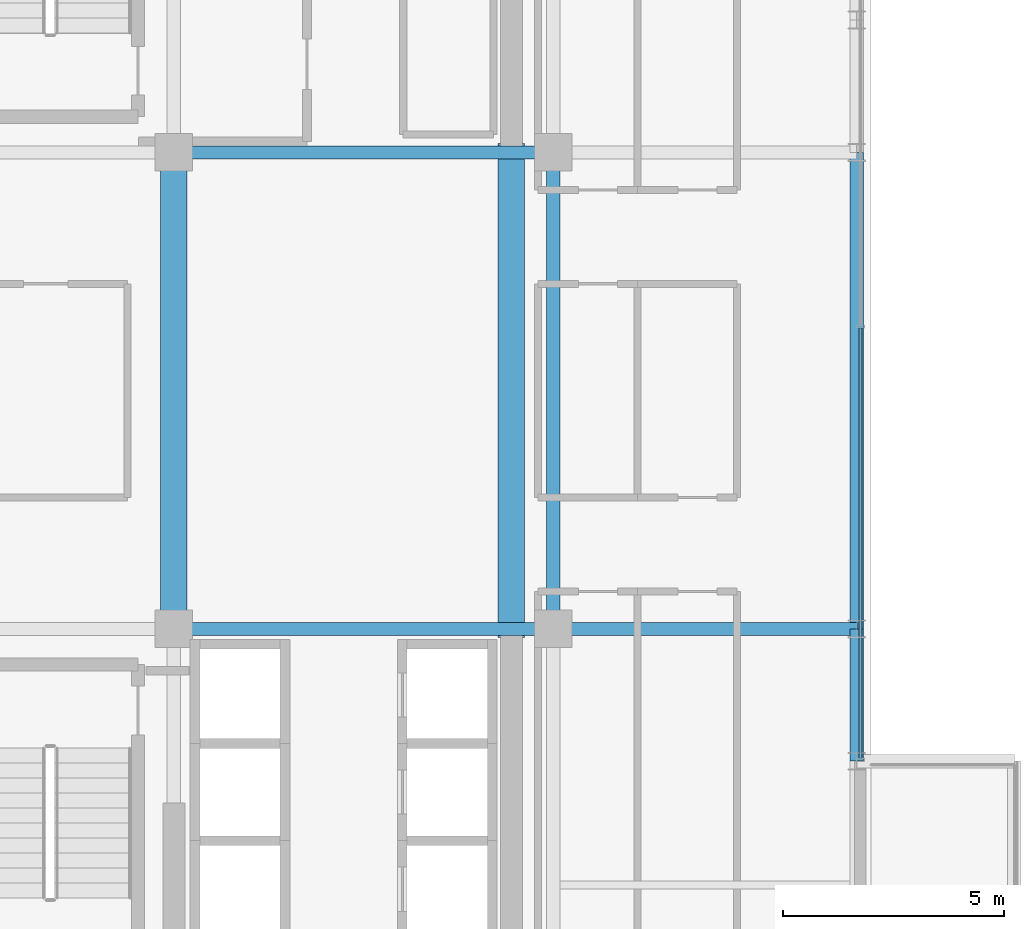
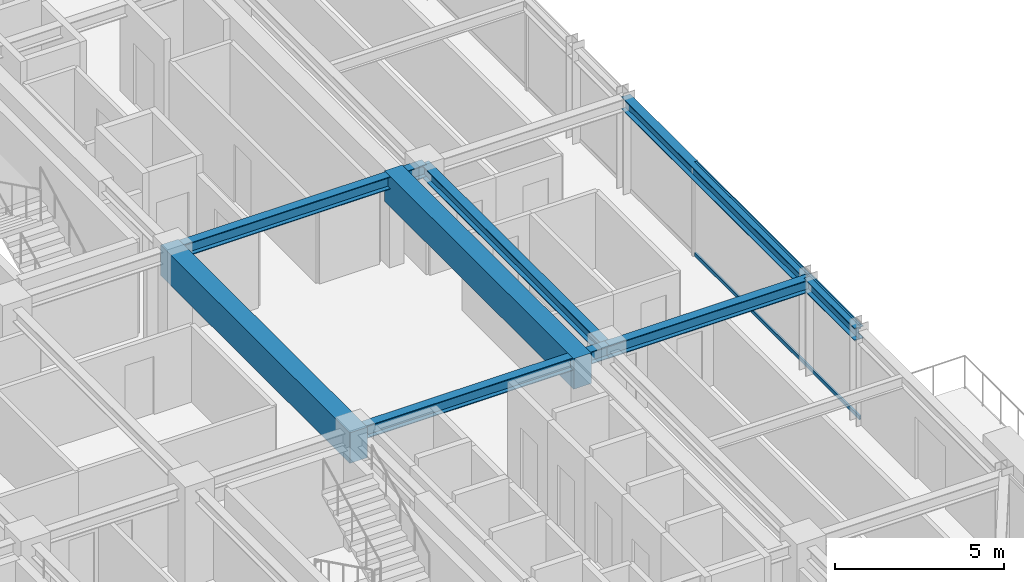
# One storey, part 16 of 43: 8 beams, 2 members, 1 element without a shape of its own.
"""IFC4 building model written with IfcOpenShell, lengths in metres."""

from ifc_helpers import new_model, si_unit, direction, frame, origin, origin_2d, place, context, subcontext, project, spatial, rectangle, hollow_rectangle, i_section, extrude, source, transform, mapped, material, material_profile, profile_set, type_object, element, aggregate, save


model = new_model("IFC4")

# Units and contexts
model_context = context("Model", 3, precision=1e-05, world=origin(), true_north=direction((0.0, 1.0)))
body_context = subcontext(model_context, "Body", "Model", "MODEL_VIEW")
ifc_project = project(units=[si_unit("LENGTHUNIT", "METRE"), si_unit("AREAUNIT", "SQUARE_METRE"), si_unit("VOLUMEUNIT", "CUBIC_METRE"), si_unit("PLANEANGLEUNIT", "RADIAN"), si_unit("MASSUNIT", "GRAM", prefix="KILO")], contexts=[model_context])

# Site, building, storey
site_placement = place(None, origin())
site = spatial("IfcSite", under=ifc_project, at=site_placement, CompositionType="ELEMENT")
building_placement = place(site_placement, origin())
building = spatial("IfcBuilding", under=site, at=building_placement, Name="Nahalor Promenade Grand Hotel", CompositionType="ELEMENT")
storey_placement = place(building_placement, frame((0.0, 0.0, 204.89990234375)))
storey = spatial("IfcBuildingStorey", under=building, at=storey_placement, Name="L52", CompositionType="ELEMENT", Elevation=204.89990234375)

# Beams
ifc_material_1 = material(Name="Concrete B-60 (C50/60)", Category="concrete")
ifc_material_profile_1 = material_profile(ifc_material_1, rectangle(XDim=0.6, YDim=1.1, at=origin_2d()), Name="RC 600x1100")
ifc_profile_set_1 = profile_set([ifc_material_profile_1], Name="Concrete B-60 (C50/60)")
beam_type_1 = type_object("IfcBeamType", Name="Beam-Lintel-RC1100", PredefinedType="LINTEL", material=ifc_profile_set_1)
shared_shape_1 = source(origin(), body_context, "Body", "SweptSolid", [
    extrude(rectangle(XDim=0.6, YDim=1.1, at=origin_2d()), origin(), (0.0, 0.0, 1.0), 11.2001953125),
])
for number, where, z_axis, x_axis, name in (
    (1, (8.39990234375, -5.60009765625, 2.860107421875), (0.0, 1.0, 0.0), (-1.0, 0.0, 0.0), "BM-L52-LINT-W"),
    (2, (16.050048828125, -5.60009765625, 2.860107421875), (0.0, 1.0, 0.0), (-1.0, 0.0, 0.0), "BM-L52-LINT-E"),
):
    element("IfcBeam", number, at=place(storey_placement, frame(where, z_axis=z_axis, x_axis=x_axis)), inside=storey, type_object=beam_type_1, Name=name, PredefinedType="LINTEL", context=body_context, shape_type="MappedRepresentation", body=[
        mapped(shared_shape_1, transform((0.0, 0.0, 0.0), scale=1.0)),
    ])
ifc_material_2 = material(Name="Steel S355JR", Category="steel")
ifc_material_profile_2 = material_profile(ifc_material_2, i_section(OverallWidth=0.3, OverallDepth=0.45, WebThickness=0.014, FlangeThickness=0.026, at=origin_2d()), Name="HEB 450")
ifc_profile_set_2 = profile_set([ifc_material_profile_2], Name="Steel S355JR")
beam_type_2 = type_object("IfcBeamType", Name="Beam-Spandrel-HEB450", PredefinedType="SPANDREL", material=ifc_profile_set_2)
shared_shape_2 = source(origin(), body_context, "Body", "SweptSolid", [
    extrude(i_section(OverallWidth=0.3, OverallDepth=0.45, WebThickness=0.014, FlangeThickness=0.026, at=origin_2d()), origin(), (0.0, 0.0, 1.0), 3.0),
])
beam_1_placement = place(storey_placement, frame((23.8798828125, -8.39990234375, 3.18505859375), z_axis=(0.0, 1.0, 0.0), x_axis=(-1.0, 0.0, 0.0)))
element("IfcBeam", 3, at=beam_1_placement, inside=storey, type_object=beam_type_2, Name="BM-L52-SP-E-1", PredefinedType="SPANDREL", context=body_context, shape_type="MappedRepresentation", body=[
    mapped(shared_shape_2, transform((0.0, 0.0, 0.0), scale=1.0)),
])
shared_shape_3 = source(origin(), body_context, "Body", "SweptSolid", [
    extrude(i_section(OverallWidth=0.3, OverallDepth=0.45, WebThickness=0.014, FlangeThickness=0.026, at=origin_2d()), origin(), (0.0, 0.0, 1.0), 10.7998046875),
])
beam_2_placement = place(storey_placement, frame((23.8798828125, -5.39990234375, 3.18505859375), z_axis=(0.0, 1.0, 0.0), x_axis=(-1.0, 0.0, 0.0)))
element("IfcBeam", 4, at=beam_2_placement, inside=storey, type_object=beam_type_2, Name="BM-L52-SP-E-2", PredefinedType="SPANDREL", context=body_context, shape_type="MappedRepresentation", body=[
    mapped(shared_shape_3, transform((0.0, 0.0, 0.0), scale=1.0)),
])
ifc_material_profile_3 = material_profile(ifc_material_2, i_section(OverallWidth=0.3, OverallDepth=0.45, WebThickness=0.014, FlangeThickness=0.026, at=origin_2d()), Name="HEB 450")
ifc_profile_set_3 = profile_set([ifc_material_profile_3], Name="Steel S355JR")
beam_type_3 = type_object("IfcBeamType", Name="Beam-Girder-HEB450", PredefinedType="BEAM", material=ifc_profile_set_3)
shared_shape_4 = source(origin(), body_context, "Body", "SweptSolid", [
    extrude(i_section(OverallWidth=0.3, OverallDepth=0.45, WebThickness=0.014, FlangeThickness=0.026, at=origin_2d()), origin(), (0.0, 0.0, 1.0), 6.8798828125),
])
beam_3_placement = place(storey_placement, frame((17.0, -5.39990234375, 3.18505859375), z_axis=(1.0, 0.0, 0.0), x_axis=(0.0, 1.0, 0.0)))
element("IfcBeam", 5, at=beam_3_placement, inside=storey, type_object=beam_type_3, Name="BM-L52-GX-1-6", PredefinedType="BEAM", context=body_context, shape_type="MappedRepresentation", body=[
    mapped(shared_shape_4, transform((0.0, 0.0, 0.0), scale=1.0)),
])
shared_shape_5 = source(origin(), body_context, "Body", "SweptSolid", [
    extrude(i_section(OverallWidth=0.3, OverallDepth=0.45, WebThickness=0.014, FlangeThickness=0.026, at=origin_2d()), origin(), (0.0, 0.0, 1.0), 8.60009765625),
])
for number, where, z_axis, x_axis, name in (
    (6, (8.39990234375, -5.39990234375, 3.18505859375), (1.0, 0.0, 0.0), (0.0, 1.0, 0.0), "BM-L52-GX-1-5"),
    (7, (8.39990234375, 5.39990234375, 3.18505859375), (1.0, 0.0, 0.0), (0.0, 1.0, 0.0), "BM-L52-GX-2-5"),
):
    element("IfcBeam", number, at=place(storey_placement, frame(where, z_axis=z_axis, x_axis=x_axis)), inside=storey, type_object=beam_type_3, Name=name, PredefinedType="BEAM", context=body_context, shape_type="MappedRepresentation", body=[
        mapped(shared_shape_5, transform((0.0, 0.0, 0.0), scale=1.0)),
    ])
shared_shape_6 = source(origin(), body_context, "Body", "SweptSolid", [
    extrude(i_section(OverallWidth=0.3, OverallDepth=0.45, WebThickness=0.014, FlangeThickness=0.026, at=origin_2d()), origin(), (0.0, 0.0, 1.0), 10.7998046875),
])
beam_4_placement = place(storey_placement, frame((17.0, -5.39990234375, 3.18505859375), z_axis=(0.0, 1.0, 0.0), x_axis=(-1.0, 0.0, 0.0)))
element("IfcBeam", 8, at=beam_4_placement, inside=storey, type_object=beam_type_3, Name="BM-L52-GY-5-2", PredefinedType="BEAM", context=body_context, shape_type="MappedRepresentation", body=[
    mapped(shared_shape_6, transform((0.0, 0.0, 0.0), scale=1.0)),
])

# Curtain wall, members
ifc_material_3 = material(Name="Anodised Bronze Aluminium EN AW-6063 T6", Category="aluminium")
curtain_wall_type = type_object("IfcCurtainWallType", Name="CW2 Typical Hotel Flush Bronze Unitised Curtain Wall", PredefinedType="USERDEFINED", material=ifc_material_3)
curtain_wall_placement = place(storey_placement, origin())
curtain_wall = element("IfcCurtainWall", 9, at=curtain_wall_placement, inside=storey, type_object=curtain_wall_type, Name="L52 Curtain Wall CW-L52-E-3", ObjectType="UNITISED_CURTAIN_WALL", PredefinedType="USERDEFINED")
ifc_material_profile_4 = material_profile(ifc_material_3, hollow_rectangle(XDim=0.065, YDim=0.13, WallThickness=0.004, at=origin_2d()), Name="CWT 65x130x4")
ifc_profile_set_4 = profile_set([ifc_material_profile_4], Name="Anodised Bronze Aluminium EN AW-6063 T6")
member_type = type_object("IfcMemberType", Name="CWT2 Typical Bronze Transom 65x130", PredefinedType="USERDEFINED", material=ifc_profile_set_4)
shared_shape_7 = source(origin(), body_context, "Body", "SweptSolid", [
    extrude(hollow_rectangle(XDim=0.065, YDim=0.13, WallThickness=0.004, at=origin_2d()), origin(), (0.0, 0.0, 1.0), 9.755859375),
])
member_1_placement = place(storey_placement, frame((23.9599609375, -8.3349609375, 0.065185546875), z_axis=(0.0, 1.0, 0.0), x_axis=(-1.0, 0.0, 0.0)))
member_1 = element("IfcMember", 10, at=member_1_placement, type_object=member_type, Name="CW-L52-E-3 Transom 0-0", ObjectType="TRANSOM", PredefinedType="USERDEFINED", context=body_context, shape_type="MappedRepresentation", body=[
    mapped(shared_shape_7, transform((0.0, 0.0, 0.0), scale=1.0)),
])
member_2_placement = place(storey_placement, frame((23.9599609375, -8.3349609375, 3.34521484375), z_axis=(0.0, 1.0, 0.0), x_axis=(-1.0, 0.0, 0.0)))
member_2 = element("IfcMember", 11, at=member_2_placement, type_object=member_type, Name="CW-L52-E-3 Transom 0-1", ObjectType="TRANSOM", PredefinedType="USERDEFINED", context=body_context, shape_type="MappedRepresentation", body=[
    mapped(shared_shape_7, transform((0.0, 0.0, 0.0), scale=1.0)),
])
aggregate(curtain_wall, [member_1, member_2])

save(model, "model.ifc")
